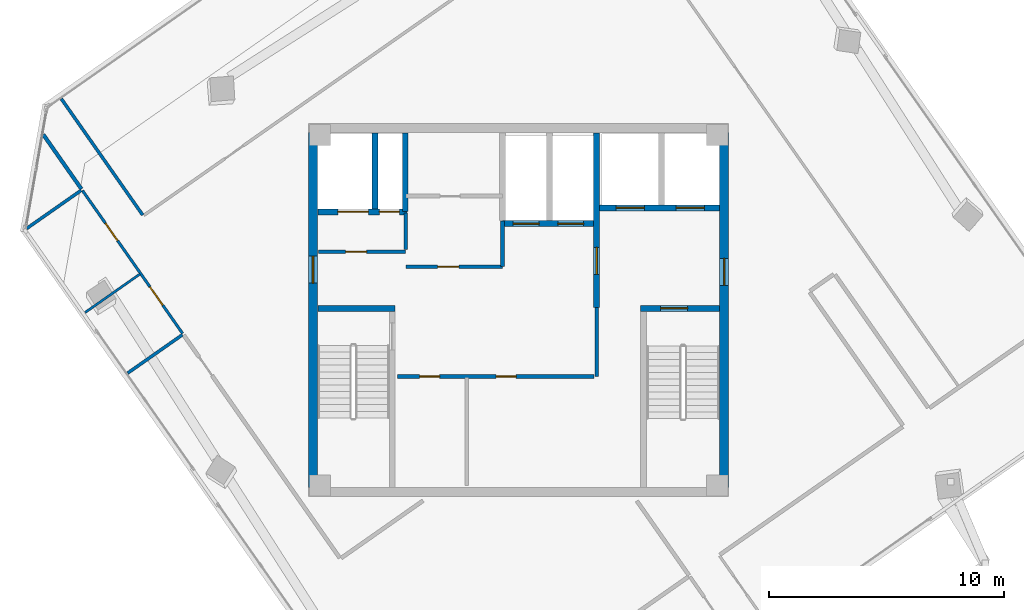
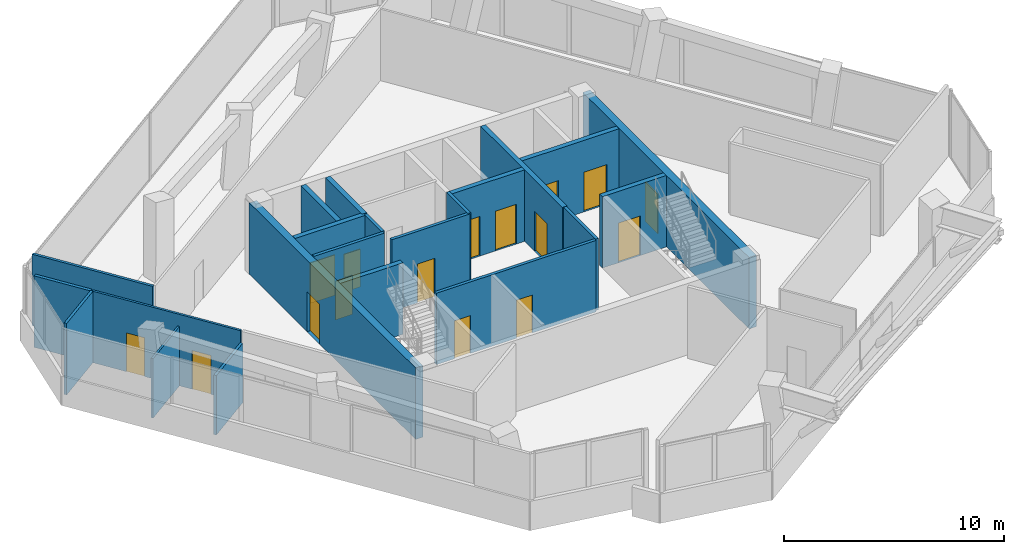
# One storey, part 11 of 15: 22 walls, 16 doors, 16 openings.
"""IFC4 building model written with IfcOpenShell, lengths in metres."""

import ifcopenshell
import ifcopenshell.guid

model = None  # the IFC model being written
_history = None  # IfcOwnerHistory: only IFC2X3 demands one
_inside = {}  # id of a spatial element -> (the spatial element, [elements in it])
_under = {}  # id of a project, library or spatial element -> (it, [spatial elements below it])
_declared = {}  # id of a project -> (the project, [libraries it declares])
_typed = {}  # id of a type object -> (the type object, [elements of that type])
_made_of = {}  # id of a material, layer set ... -> (it, [elements and type objects made of it])


def new_model(schema):
    """Start an empty IFC model of exactly this schema.

    Asked for "IFC4X3", IfcOpenShell would pick the latest addendum, in which some entities
    have other attributes; the version numbers below select the first issue.
    IFC2X3 requires an IfcOwnerHistory on every rooted entity: one is made here for all.
    """
    global model, _history
    if schema == "IFC4X3":
        model = ifcopenshell.file(schema_version=(4, 3, 0, 0))
    else:
        model = ifcopenshell.file(schema=schema)
    _inside.clear()
    _under.clear()
    _declared.clear()
    _typed.clear()
    _made_of.clear()
    _history = None
    if model.schema == "IFC2X3":
        org = make("IfcOrganization", Name="unknown")
        user = make(
            "IfcPersonAndOrganization",
            ThePerson=make("IfcPerson", FamilyName="unknown"),
            TheOrganization=org,
        )
        app = make(
            "IfcApplication",
            ApplicationDeveloper=org,
            Version="unknown",
            ApplicationFullName="unknown",
            ApplicationIdentifier="unknown",
        )
        _history = make(
            "IfcOwnerHistory",
            OwningUser=user,
            OwningApplication=app,
            ChangeAction="ADDED",
            CreationDate=0,
        )
    return model


def make(cls, **values):
    """One entity of the class cls with the attributes given. An attribute that is None is left unset."""
    return model.create_entity(
        cls, **{name: value for name, value in values.items() if value is not None}
    )


def rooted(cls, **values):
    """An entity with a GlobalId (a new one), such as an element, a storey or a relation."""
    return make(cls, GlobalId=ifcopenshell.guid.new(), OwnerHistory=_history, **values)


def si_unit(unit_type, name, prefix=None):
    """IfcSIUnit, for example si_unit("LENGTHUNIT", "METRE", prefix="MILLI")."""
    return make("IfcSIUnit", UnitType=unit_type, Prefix=prefix, Name=name)


def assignment(units):
    """IfcUnitAssignment: the units of a project."""
    return None if units is None else make("IfcUnitAssignment", Units=units)


def point(xyz):
    """IfcCartesianPoint."""
    return None if xyz is None else make("IfcCartesianPoint", Coordinates=xyz)


def direction(xyz):
    """IfcDirection."""
    return None if xyz is None else make("IfcDirection", DirectionRatios=xyz)


def frame(location, z_axis=None, x_axis=None):
    """IfcAxis2Placement3D, a coordinate frame: its origin and axes. An axis left out is left unset."""
    return make(
        "IfcAxis2Placement3D",
        Location=point(location),
        Axis=direction(z_axis),
        RefDirection=direction(x_axis),
    )


def frame_2d(location, x_axis=None):
    """IfcAxis2Placement2D, a coordinate frame in the plane: its origin and x axis."""
    return make(
        "IfcAxis2Placement2D", Location=point(location), RefDirection=direction(x_axis)
    )


def origin():
    """The frame at (0, 0, 0) with its axes left unset."""
    return frame((0.0, 0.0, 0.0))


def place(relative_to, where):
    """IfcLocalPlacement: puts the frame where relative to a parent placement (None: the world)."""
    return make(
        "IfcLocalPlacement", PlacementRelTo=relative_to, RelativePlacement=where
    )


def context(
    kind, dimensions, precision=None, world=None, true_north=None, identifier=None
):
    """IfcGeometricRepresentationContext, for example the 3D "Model" context."""
    return make(
        "IfcGeometricRepresentationContext",
        ContextIdentifier=identifier,
        ContextType=kind,
        CoordinateSpaceDimension=dimensions,
        Precision=precision,
        WorldCoordinateSystem=world,
        TrueNorth=true_north,
    )


def subcontext(parent, identifier, kind, view, scale=None):
    """IfcGeometricRepresentationSubContext, for example "Body" below "Model"."""
    return make(
        "IfcGeometricRepresentationSubContext",
        ContextIdentifier=identifier,
        ContextType=kind,
        ParentContext=parent,
        TargetScale=scale,
        TargetView=view,
    )


def project(units=None, contexts=None):
    """IfcProject with its units and contexts."""
    return rooted(
        "IfcProject",
        Name="project",
        RepresentationContexts=contexts,
        UnitsInContext=assignment(units),
    )


def spatial(cls, under=None, at=None, **own):
    """A site, building, storey or space (cls), placed at a placement, below another one or the project."""
    s = rooted(cls, ObjectPlacement=at, **own)
    if under is not None:
        _under.setdefault(under.id(), (under, []))[1].append(s)
    return s


def profile(cls, at=None, kind="AREA", **sizes):
    """A parametric profile (cls). Its sizes go by their IFC names, for example OverallWidth=200.0."""
    return make(cls, ProfileType=kind, Position=at, **sizes)


def rectangle(**sizes):
    """IfcRectangleProfileDef."""
    return profile("IfcRectangleProfileDef", **sizes)


def extrude(swept, where, along, depth):
    """IfcExtrudedAreaSolid: the profile swept, set in the frame where, extruded along a direction by depth."""
    return make(
        "IfcExtrudedAreaSolid",
        SweptArea=swept,
        Position=where,
        ExtrudedDirection=direction(along),
        Depth=depth,
    )


def shape(context_of_items, identifier, shape_type, items):
    """IfcShapeRepresentation: the items that make up one representation, for example the "Body"."""
    return make(
        "IfcShapeRepresentation",
        ContextOfItems=context_of_items,
        RepresentationIdentifier=identifier,
        RepresentationType=shape_type,
        Items=items,
    )


def source(mapping_origin, context_of_items, identifier, shape_type, items):
    """IfcRepresentationMap: a shape defined once, which mapped items show again and again."""
    return make(
        "IfcRepresentationMap",
        MappingOrigin=mapping_origin,
        MappedRepresentation=shape(context_of_items, identifier, shape_type, items),
    )


def transform(
    local_origin,
    x_axis=None,
    y_axis=None,
    z_axis=None,
    scale=None,
    scale2=None,
    scale3=None,
    uniform=True,
):
    """IfcCartesianTransformationOperator3D, or its non-uniform kind. x_axis, y_axis, z_axis: its Axis1, 2, 3."""
    if uniform:
        return make(
            "IfcCartesianTransformationOperator3D",
            Axis1=direction(x_axis),
            Axis2=direction(y_axis),
            LocalOrigin=point(local_origin),
            Scale=scale,
            Axis3=direction(z_axis),
        )
    return make(
        "IfcCartesianTransformationOperator3DnonUniform",
        Axis1=direction(x_axis),
        Axis2=direction(y_axis),
        LocalOrigin=point(local_origin),
        Scale=scale,
        Axis3=direction(z_axis),
        Scale2=scale2,
        Scale3=scale3,
    )


def mapped(mapping_source, mapping_target):
    """IfcMappedItem: shows the shape of a source again, moved by a transform."""
    return make(
        "IfcMappedItem", MappingSource=mapping_source, MappingTarget=mapping_target
    )


def material(Name=None, Category=None):
    """IfcMaterial."""
    return make("IfcMaterial", Name=Name, Category=Category)


def layer(
    of_material, thickness, ventilated=None, Name=None, Category=None, Priority=None
):
    """IfcMaterialLayer: one layer of a wall or slab, of a material (None: an air gap)."""
    return make(
        "IfcMaterialLayer",
        Material=of_material,
        LayerThickness=thickness,
        IsVentilated=ventilated,
        Name=Name,
        Category=Category,
        Priority=Priority,
    )


def layer_set(layers, Name=None):
    """IfcMaterialLayerSet."""
    return make("IfcMaterialLayerSet", MaterialLayers=layers, LayerSetName=Name)


def made_of(thing, what):
    """Note that an element or type object is made of a material, layer set ...; save() writes the relation."""
    if what is not None:
        _made_of.setdefault(what.id(), (what, []))[1].append(thing)
    return thing


def type_object(cls, material=None, **own):
    """A type object (cls), such as IfcWallType, which elements share."""
    return made_of(rooted(cls, **own), material)


def element(
    cls,
    number,
    at=None,
    inside=None,
    cuts=None,
    type_object=None,
    material=None,
    context=None,
    identifier="Body",
    shape_type=None,
    held_by="IfcProductDefinitionShape",
    body=None,
    shapes=None,
    **own,
):
    """One element of the class cls, such as IfcWall. Its Tag is "e" and its number.

    at: its placement. inside: the storey or other place that contains it. cuts: it is an
    opening in that element (IfcRelVoidsElement). A single representation is given by context,
    identifier, shape_type and body (its items); several are given by shapes. held_by: the class
    of the entity that holds the representations. save() writes the other relations.
    """
    e = rooted(cls, Tag="e%d" % number, ObjectPlacement=at, **own)
    if body is not None:
        shapes = [shape(context, identifier, shape_type, body)]
    if shapes is not None:
        e.Representation = make(held_by, Representations=shapes)
    if inside is not None:
        _inside.setdefault(inside.id(), (inside, []))[1].append(e)
    if cuts is not None:
        rooted(
            "IfcRelVoidsElement", RelatingBuildingElement=cuts, RelatedOpeningElement=e
        )
    if type_object is not None:
        _typed.setdefault(type_object.id(), (type_object, []))[1].append(e)
    return made_of(e, material)


def fill(opening, filler):
    """IfcRelFillsElement: the door or window that sits in an opening."""
    return rooted(
        "IfcRelFillsElement",
        RelatingOpeningElement=opening,
        RelatedBuildingElement=filler,
    )


def aggregate(whole, parts):
    """IfcRelAggregates: a whole, such as a stair, and the parts it consists of."""
    return rooted("IfcRelAggregates", RelatingObject=whole, RelatedObjects=parts)


def save(model, path):
    """Write the relations noted so far, then the file.

    IfcRelAggregates (storeys below a building ...), IfcRelContainedInSpatialStructure (elements
    in a storey), IfcRelDefinesByType, IfcRelAssociatesMaterial and IfcRelDeclares: one each for
    every whole, place, type object, material and project.
    """
    for whole, parts in _under.values():
        aggregate(whole, parts)
    for where, things in _inside.values():
        rooted(
            "IfcRelContainedInSpatialStructure",
            RelatedElements=things,
            RelatingStructure=where,
        )
    for kind, things in _typed.values():
        rooted("IfcRelDefinesByType", RelatedObjects=things, RelatingType=kind)
    for what, things in _made_of.values():
        rooted("IfcRelAssociatesMaterial", RelatedObjects=things, RelatingMaterial=what)
    for by, libraries in _declared.values():
        rooted("IfcRelDeclares", RelatingContext=by, RelatedDefinitions=libraries)
    model.write(path)


model = new_model("IFC4")

# Units and contexts
model_context = context("Model", 3, precision=1e-05, world=origin(), true_north=direction((0.0, 1.0)))
body_context = subcontext(model_context, "Body", "Model", "MODEL_VIEW")
ifc_project = project(units=[si_unit("LENGTHUNIT", "METRE"), si_unit("AREAUNIT", "SQUARE_METRE"), si_unit("VOLUMEUNIT", "CUBIC_METRE"), si_unit("PLANEANGLEUNIT", "RADIAN"), si_unit("MASSUNIT", "GRAM", prefix="KILO")], contexts=[model_context])

# Site, building, storey
site_placement = place(None, origin())
site = spatial("IfcSite", under=ifc_project, at=site_placement, CompositionType="ELEMENT")
building_placement = place(site_placement, origin())
building = spatial("IfcBuilding", under=site, at=building_placement, Name="Torre Montelarca", CompositionType="ELEMENT")
storey_placement = place(building_placement, frame((0.0, 0.0, 303.0)))
storey = spatial("IfcBuildingStorey", under=building, at=storey_placement, Name="L68", CompositionType="ELEMENT", Elevation=303.0)

# Wall
ifc_material_1 = material(Name="Concrete C40/50", Category="concrete")
ifc_layer_1 = layer(ifc_material_1, 0.25, Name="Concrete C40/50", Category="concrete")
ifc_layer_set_1 = layer_set([ifc_layer_1], Name="Concrete C40/50")
wall_type_1 = type_object("IfcWallType", Name="CW-SHAFT-250", PredefinedType="SHEAR", material=ifc_layer_set_1)
wall_1_placement = place(storey_placement, frame((9.4599609375, 32.074951171875, 0.0), z_axis=(0.0, 0.0, 1.0), x_axis=(1.0, 0.0, 0.0)))
element("IfcWall", 1, at=wall_1_placement, inside=storey, type_object=wall_type_1, Name="L68 Core Shear Wall SH-ST1-N", PredefinedType="SHEAR", context=body_context, shape_type="SweptSolid", body=[
    extrude(rectangle(XDim=3.2900390625, YDim=0.25, at=frame_2d((1.64501953125, 0.0))), origin(), (0.0, 0.0, 1.0), 3.9599609375),
])

# Wall, opening, door
wall_2_placement = place(storey_placement, frame((23.18994140625, 32.074951171875, 0.0), z_axis=(0.0, 0.0, 1.0), x_axis=(1.0, 0.0, 0.0)))
wall_2 = element("IfcWall", 2, at=wall_2_placement, inside=storey, type_object=wall_type_1, Name="L68 Core Shear Wall SH-ST2-N", PredefinedType="SHEAR", context=body_context, shape_type="SweptSolid", body=[
    extrude(rectangle(XDim=3.35009765625, YDim=0.25, at=frame_2d((1.675048828125, 0.0))), origin(), (0.0, 0.0, 1.0), 3.9599609375),
])
opening_1_placement = place(wall_2_placement, frame((0.85009765625, 0.0, 0.0)))
opening_1 = element("IfcOpeningElement", 3, at=opening_1_placement, cuts=wall_2, Name="Opening FD-ST1", PredefinedType="OPENING", context=body_context, shape_type="SweptSolid", body=[
    extrude(rectangle(XDim=1.14990234375, YDim=2.199951171875, at=frame_2d((0.574951171875, 1.10009765625))), frame((0.0, 0.135009765625, 0.0), z_axis=(0.0, -1.0, 0.0), x_axis=(1.0, 0.0, 0.0)), (0.0, 0.0, 1.0), 0.27001953125),
])
ifc_material_2 = material(Name="Galvanized steel fire door", Category="steel")
door_type_1 = type_object("IfcDoorType", Name="DR-STAIR-115", OperationType="NOTDEFINED", PredefinedType="DOOR", material=ifc_material_2)
shared_shape_1 = source(origin(), body_context, "Body", "SweptSolid", [
    extrude(rectangle(XDim=1.14990234375, YDim=2.199951171875, at=frame_2d((0.574951171875, 1.10009765625))), frame((0.0, 0.02490234375, 0.0), z_axis=(0.0, -1.0, 0.0), x_axis=(1.0, 0.0, 0.0)), (0.0, 0.0, 1.0), 0.050048828125),
])
door_1_placement = place(opening_1_placement, origin())
door_1 = element("IfcDoor", 4, at=door_1_placement, inside=storey, type_object=door_type_1, Name="L68 Exit Stair ST2 Fire Door", OperationType="SINGLE_SWING_RIGHT", OverallHeight=2.199951171875, OverallWidth=1.14990234375, PredefinedType="DOOR", context=body_context, shape_type="MappedRepresentation", body=[
    mapped(shared_shape_1, transform((0.0, 0.0, 0.0), scale=1.0)),
])
fill(opening_1, door_1)

wall_3_placement = place(storey_placement, frame((21.320068359375, 32.1201171875, 0.0), z_axis=(0.0, 0.0, 1.0), x_axis=(0.0, 1.0, 0.0)))
wall_3 = element("IfcWall", 5, at=wall_3_placement, inside=storey, type_object=wall_type_1, Name="L68 Core Shear Wall SH-FFL-W", PredefinedType="SHEAR", context=body_context, shape_type="SweptSolid", body=[
    extrude(rectangle(XDim=7.419921875, YDim=0.25, at=frame_2d((3.7099609375, 0.0))), origin(), (0.0, 0.0, 1.0), 3.9599609375),
])
opening_2_placement = place(wall_3_placement, frame((1.39990234375, 0.0, 0.0)))
opening_2 = element("IfcOpeningElement", 6, at=opening_2_placement, cuts=wall_3, Name="Opening FD-LB1", PredefinedType="OPENING", context=body_context, shape_type="SweptSolid", body=[
    extrude(rectangle(XDim=1.14990234375, YDim=2.199951171875, at=frame_2d((0.574951171875, 1.10009765625))), frame((0.0, 0.135009765625, 0.0), z_axis=(0.0, -1.0, 0.0), x_axis=(1.0, 0.0, 0.0)), (0.0, 0.0, 1.0), 0.27001953125),
])
ifc_material_3 = material(Name="Acoustic timber-veneered fire door", Category="wood")
door_type_2 = type_object("IfcDoorType", Name="DR-LOBBY-115", OperationType="NOTDEFINED", PredefinedType="DOOR", material=ifc_material_3)
shared_shape_2 = source(origin(), body_context, "Body", "SweptSolid", [
    extrude(rectangle(XDim=1.14990234375, YDim=2.199951171875, at=frame_2d((0.574951171875, 1.10009765625))), frame((0.0, 0.02490234375, 0.0), z_axis=(0.0, -1.0, 0.0), x_axis=(1.0, 0.0, 0.0)), (0.0, 0.0, 1.0), 0.050048828125),
])
door_2_placement = place(opening_2_placement, origin())
door_2 = element("IfcDoor", 7, at=door_2_placement, inside=storey, type_object=door_type_2, Name="L68 Lift Lobby to Firefighting Lobby Smoke Door", OperationType="SINGLE_SWING_LEFT", OverallHeight=2.199951171875, OverallWidth=1.14990234375, PredefinedType="DOOR", context=body_context, shape_type="MappedRepresentation", body=[
    mapped(shared_shape_2, transform((0.0, 0.0, 0.0), scale=1.0)),
])
fill(opening_2, door_2)

# Wall, openings, doors
wall_4_placement = place(storey_placement, frame((9.4599609375, 36.179931640625, 0.0), z_axis=(0.0, 0.0, 1.0), x_axis=(1.0, 0.0, 0.0)))
wall_4 = element("IfcWall", 8, at=wall_4_placement, inside=storey, type_object=wall_type_1, Name="L68 Core Shear Wall SH-SV1-S", PredefinedType="SHEAR", context=body_context, shape_type="SweptSolid", body=[
    extrude(rectangle(XDim=3.7900390625, YDim=0.25, at=frame_2d((1.89501953125, 0.0))), origin(), (0.0, 0.0, 1.0), 3.9599609375),
])
opening_3_placement = place(wall_4_placement, frame((2.6201171875, 0.0, 0.0)))
opening_3 = element("IfcOpeningElement", 9, at=opening_3_placement, cuts=wall_4, Name="Opening FD-085", PredefinedType="OPENING", context=body_context, shape_type="SweptSolid", body=[
    extrude(rectangle(XDim=0.85009765625, YDim=2.10009765625, at=frame_2d((0.425048828125, 1.050048828125))), frame((0.0, 0.135009765625, 0.0), z_axis=(0.0, -1.0, 0.0), x_axis=(1.0, 0.0, 0.0)), (0.0, 0.0, 1.0), 0.27001953125),
])
opening_4_placement = place(wall_4_placement, frame((0.85009765625, 0.0, 0.0)))
opening_4 = element("IfcOpeningElement", 10, at=opening_4_placement, cuts=wall_4, Name="Opening LD-130", PredefinedType="OPENING", context=body_context, shape_type="SweptSolid", body=[
    extrude(rectangle(XDim=1.300048828125, YDim=2.25, at=frame_2d((0.64990234375, 1.125))), frame((0.0, 0.135009765625, 0.0), z_axis=(0.0, -1.0, 0.0), x_axis=(1.0, 0.0, 0.0)), (0.0, 0.0, 1.0), 0.27001953125),
])
ifc_material_4 = material(Name="Steel riser access fire door", Category="steel")
door_type_3 = type_object("IfcDoorType", Name="DR-RISER-085", OperationType="NOTDEFINED", PredefinedType="DOOR", material=ifc_material_4)
shared_shape_3 = source(origin(), body_context, "Body", "SweptSolid", [
    extrude(rectangle(XDim=0.85009765625, YDim=2.10009765625, at=frame_2d((0.425048828125, 1.050048828125))), frame((0.0, 0.02490234375, 0.0), z_axis=(0.0, -1.0, 0.0), x_axis=(1.0, 0.0, 0.0)), (0.0, 0.0, 1.0), 0.050048828125),
])
door_3_placement = place(opening_3_placement, origin())
door_3 = element("IfcDoor", 11, at=door_3_placement, inside=storey, type_object=door_type_3, Name="L68 Electrical Riser Shaft Access Door", OperationType="SINGLE_SWING_RIGHT", OverallHeight=2.10009765625, OverallWidth=0.85009765625, PredefinedType="DOOR", context=body_context, shape_type="MappedRepresentation", body=[
    mapped(shared_shape_3, transform((0.0, 0.0, 0.0), scale=1.0)),
])
fill(opening_3, door_3)
ifc_material_5 = material(Name="Brushed stainless steel AISI 316", Category="steel")
door_type_4 = type_object("IfcDoorType", Name="DR-LIFT-130", OperationType="SLIDING_TO_LEFT", PredefinedType="DOOR", material=ifc_material_5)
shared_shape_4 = source(origin(), body_context, "Body", "SweptSolid", [
    extrude(rectangle(XDim=1.300048828125, YDim=2.25, at=frame_2d((0.64990234375, 1.125))), frame((0.0, 0.02490234375, 0.0), z_axis=(0.0, -1.0, 0.0), x_axis=(1.0, 0.0, 0.0)), (0.0, 0.0, 1.0), 0.050048828125),
])
door_4_placement = place(opening_4_placement, origin())
door_4 = element("IfcDoor", 12, at=door_4_placement, inside=storey, type_object=door_type_4, Name="L68 Lift Landing Sliding Door SV-1", OperationType="SLIDING_TO_LEFT", OverallHeight=2.25, OverallWidth=1.300048828125, PredefinedType="DOOR", context=body_context, shape_type="MappedRepresentation", body=[
    mapped(shared_shape_4, transform((0.0, 0.0, 0.0), scale=1.0)),
])
fill(opening_4, door_4)

# Wall
wall_5_placement = place(storey_placement, frame((11.89990234375, 36.31005859375, 0.0), z_axis=(0.0, 0.0, 1.0), x_axis=(0.0, 1.0, 0.0)))
element("IfcWall", 13, at=wall_5_placement, inside=storey, type_object=wall_type_1, Name="L68 Core Shear Wall SH-SV1-E", PredefinedType="SHEAR", context=body_context, shape_type="SweptSolid", body=[
    extrude(rectangle(XDim=3.22998046875, YDim=0.25, at=frame_2d((1.614990234375, 0.0))), origin(), (0.0, 0.0, 1.0), 3.9599609375),
])

# Wall, openings, doors
wall_6_placement = place(storey_placement, frame((21.449951171875, 36.35009765625, 0.0), z_axis=(0.0, 0.0, 1.0), x_axis=(1.0, 0.0, 0.0)))
wall_6 = element("IfcWall", 14, at=wall_6_placement, inside=storey, type_object=wall_type_1, Name="L68 Core Shear Wall SH-FF-S", PredefinedType="SHEAR", context=body_context, shape_type="SweptSolid", body=[
    extrude(rectangle(XDim=5.090087890625, YDim=0.25, at=frame_2d((2.544921875, 0.0))), origin(), (0.0, 0.0, 1.0), 3.9599609375),
])
opening_5_placement = place(wall_6_placement, frame((0.699951171875, 0.0, 0.0)))
opening_5 = element("IfcOpeningElement", 15, at=opening_5_placement, cuts=wall_6, Name="Opening LD-120", PredefinedType="OPENING", context=body_context, shape_type="SweptSolid", body=[
    extrude(rectangle(XDim=1.199951171875, YDim=2.199951171875, at=frame_2d((0.60009765625, 1.10009765625))), frame((0.0, 0.135009765625, 0.0), z_axis=(0.0, -1.0, 0.0), x_axis=(1.0, 0.0, 0.0)), (0.0, 0.0, 1.0), 0.27001953125),
])
opening_6_placement = place(wall_6_placement, frame((3.25, 0.0, 0.0)))
opening_6 = element("IfcOpeningElement", 16, at=opening_6_placement, cuts=wall_6, Name="Opening LD-120", PredefinedType="OPENING", context=body_context, shape_type="SweptSolid", body=[
    extrude(rectangle(XDim=1.199951171875, YDim=2.199951171875, at=frame_2d((0.60009765625, 1.10009765625))), frame((0.0, 0.135009765625, 0.0), z_axis=(0.0, -1.0, 0.0), x_axis=(1.0, 0.0, 0.0)), (0.0, 0.0, 1.0), 0.27001953125),
])
door_type_5 = type_object("IfcDoorType", Name="DR-LIFT-120", OperationType="SLIDING_TO_RIGHT", PredefinedType="DOOR", material=ifc_material_5)
shared_shape_5 = source(origin(), body_context, "Body", "SweptSolid", [
    extrude(rectangle(XDim=1.199951171875, YDim=2.199951171875, at=frame_2d((0.60009765625, 1.10009765625))), frame((0.0, 0.02490234375, 0.0), z_axis=(0.0, -1.0, 0.0), x_axis=(1.0, 0.0, 0.0)), (0.0, 0.0, 1.0), 0.050048828125),
])
door_5_placement = place(opening_5_placement, origin())
door_5 = element("IfcDoor", 17, at=door_5_placement, inside=storey, type_object=door_type_5, Name="L68 Lift Landing Sliding Door FF-1", OperationType="SLIDING_TO_LEFT", OverallHeight=2.199951171875, OverallWidth=1.199951171875, PredefinedType="DOOR", context=body_context, shape_type="MappedRepresentation", body=[
    mapped(shared_shape_5, transform((0.0, 0.0, 0.0), scale=1.0)),
])
fill(opening_5, door_5)
door_6_placement = place(opening_6_placement, origin())
door_6 = element("IfcDoor", 18, at=door_6_placement, inside=storey, type_object=door_type_5, Name="L68 Lift Landing Sliding Door FF-2", OperationType="SLIDING_TO_RIGHT", OverallHeight=2.199951171875, OverallWidth=1.199951171875, PredefinedType="DOOR", context=body_context, shape_type="MappedRepresentation", body=[
    mapped(shared_shape_5, transform((0.0, 0.0, 0.0), scale=1.0)),
])
fill(opening_6, door_6)

# Wall
wall_7_placement = place(storey_placement, frame((13.179931640625, 36.199951171875, 0.0), z_axis=(0.0, 0.0, 1.0), x_axis=(0.0, 1.0, 0.0)))
element("IfcWall", 19, at=wall_7_placement, inside=storey, type_object=wall_type_1, Name="L68 Core Shear Wall SH-RSR1-E", PredefinedType="SHEAR", context=body_context, shape_type="SweptSolid", body=[
    extrude(rectangle(XDim=3.340087890625, YDim=0.25, at=frame_2d((1.669921875, 0.0))), origin(), (0.0, 0.0, 1.0), 3.9599609375),
])

# Wall, openings, doors
wall_8_placement = place(storey_placement, frame((17.320068359375, 35.679931640625, 0.0), z_axis=(0.0, 0.0, 1.0), x_axis=(1.0, 0.0, 0.0)))
wall_8 = element("IfcWall", 20, at=wall_8_placement, inside=storey, type_object=wall_type_1, Name="L68 Core Shear Wall SH-PLH-S", PredefinedType="SHEAR", context=body_context, shape_type="SweptSolid", body=[
    extrude(rectangle(XDim=3.869873046875, YDim=0.25, at=frame_2d((1.93505859375, 0.0))), origin(), (0.0, 0.0, 1.0), 3.9599609375),
])
opening_7_placement = place(wall_8_placement, frame((0.449951171875, 0.0, 0.0)))
opening_7 = element("IfcOpeningElement", 21, at=opening_7_placement, cuts=wall_8, Name="Opening LD-110", PredefinedType="OPENING", context=body_context, shape_type="SweptSolid", body=[
    extrude(rectangle(XDim=1.10009765625, YDim=2.199951171875, at=frame_2d((0.550048828125, 1.10009765625))), frame((0.0, 0.135009765625, 0.0), z_axis=(0.0, -1.0, 0.0), x_axis=(1.0, 0.0, 0.0)), (0.0, 0.0, 1.0), 0.27001953125),
])
opening_8_placement = place(wall_8_placement, frame((2.35009765625, 0.0, 0.0)))
opening_8 = element("IfcOpeningElement", 22, at=opening_8_placement, cuts=wall_8, Name="Opening LD-110", PredefinedType="OPENING", context=body_context, shape_type="SweptSolid", body=[
    extrude(rectangle(XDim=1.10009765625, YDim=2.199951171875, at=frame_2d((0.550048828125, 1.10009765625))), frame((0.0, 0.135009765625, 0.0), z_axis=(0.0, -1.0, 0.0), x_axis=(1.0, 0.0, 0.0)), (0.0, 0.0, 1.0), 0.27001953125),
])
door_type_6 = type_object("IfcDoorType", Name="DR-LIFT-110", OperationType="SLIDING_TO_LEFT", PredefinedType="DOOR", material=ifc_material_5)
shared_shape_6 = source(origin(), body_context, "Body", "SweptSolid", [
    extrude(rectangle(XDim=1.10009765625, YDim=2.199951171875, at=frame_2d((0.550048828125, 1.10009765625))), frame((0.0, 0.02490234375, 0.0), z_axis=(0.0, -1.0, 0.0), x_axis=(1.0, 0.0, 0.0)), (0.0, 0.0, 1.0), 0.050048828125),
])
door_7_placement = place(opening_7_placement, origin())
door_7 = element("IfcDoor", 23, at=door_7_placement, inside=storey, type_object=door_type_6, Name="L68 Lift Landing Sliding Door PL-H1", OperationType="SLIDING_TO_LEFT", OverallHeight=2.199951171875, OverallWidth=1.10009765625, PredefinedType="DOOR", context=body_context, shape_type="MappedRepresentation", body=[
    mapped(shared_shape_6, transform((0.0, 0.0, 0.0), scale=1.0)),
])
fill(opening_7, door_7)
door_8_placement = place(opening_8_placement, origin())
door_8 = element("IfcDoor", 24, at=door_8_placement, inside=storey, type_object=door_type_6, Name="L68 Lift Landing Sliding Door PL-H2", OperationType="SLIDING_TO_RIGHT", OverallHeight=2.199951171875, OverallWidth=1.10009765625, PredefinedType="DOOR", context=body_context, shape_type="MappedRepresentation", body=[
    mapped(shared_shape_6, transform((0.0, 0.0, 0.0), scale=1.0)),
])
fill(opening_8, door_8)

# Wall, opening, door
ifc_layer_2 = layer(ifc_material_1, 0.3798828125, Name="Concrete C40/50", Category="concrete")
ifc_layer_set_2 = layer_set([ifc_layer_2], Name="Concrete C40/50")
wall_type_2 = type_object("IfcWallType", Name="CW-SHEAR-380", PredefinedType="SHEAR", material=ifc_layer_set_2)
wall_9_placement = place(storey_placement, frame((9.260009765625, 24.449951171875, 0.0), z_axis=(0.0, 0.0, 1.0), x_axis=(0.0, 1.0, 0.0)))
wall_9 = element("IfcWall", 25, at=wall_9_placement, inside=storey, type_object=wall_type_2, Name="L68 Core Shear Wall CW-W", PredefinedType="SHEAR", context=body_context, shape_type="SweptSolid", body=[
    extrude(rectangle(XDim=15.10009765625, YDim=0.3798828125, at=frame_2d((7.550048828125, 0.0))), origin(), (0.0, 0.0, 1.0), 3.9599609375),
])
opening_9_placement = place(wall_9_placement, frame((8.699951171875, 0.0, 0.0)))
opening_9 = element("IfcOpeningElement", 26, at=opening_9_placement, cuts=wall_9, Name="Opening FD-LB1", PredefinedType="OPENING", context=body_context, shape_type="SweptSolid", body=[
    extrude(rectangle(XDim=1.14990234375, YDim=2.199951171875, at=frame_2d((0.574951171875, 1.10009765625))), frame((0.0, 0.199951171875, 0.0), z_axis=(0.0, -1.0, 0.0), x_axis=(1.0, 0.0, 0.0)), (0.0, 0.0, 1.0), 0.39990234375),
])
door_9_placement = place(opening_9_placement, origin())
door_9 = element("IfcDoor", 27, at=door_9_placement, inside=storey, type_object=door_type_2, Name="L68 Passenger Lift Lobby West Corridor Fire Door", OperationType="SINGLE_SWING_RIGHT", OverallHeight=2.199951171875, OverallWidth=1.14990234375, PredefinedType="DOOR", context=body_context, shape_type="MappedRepresentation", body=[
    mapped(shared_shape_2, transform((0.0, 0.0, 0.0), scale=1.0)),
])
fill(opening_9, door_9)

wall_10_placement = place(storey_placement, frame((26.739990234375, 24.449951171875, 0.0), z_axis=(0.0, 0.0, 1.0), x_axis=(0.0, 1.0, 0.0)))
wall_10 = element("IfcWall", 28, at=wall_10_placement, inside=storey, type_object=wall_type_2, Name="L68 Core Shear Wall CW-E", PredefinedType="SHEAR", context=body_context, shape_type="SweptSolid", body=[
    extrude(rectangle(XDim=15.10009765625, YDim=0.3798828125, at=frame_2d((7.550048828125, 0.0))), origin(), (0.0, 0.0, 1.0), 3.9599609375),
])
opening_10_placement = place(wall_10_placement, frame((8.60009765625, 0.0, 0.0)))
opening_10 = element("IfcOpeningElement", 29, at=opening_10_placement, cuts=wall_10, Name="Opening FD-LB1", PredefinedType="OPENING", context=body_context, shape_type="SweptSolid", body=[
    extrude(rectangle(XDim=1.14990234375, YDim=2.199951171875, at=frame_2d((0.574951171875, 1.10009765625))), frame((0.0, 0.199951171875, 0.0), z_axis=(0.0, -1.0, 0.0), x_axis=(1.0, 0.0, 0.0)), (0.0, 0.0, 1.0), 0.39990234375),
])
door_10_placement = place(opening_10_placement, origin())
door_10 = element("IfcDoor", 30, at=door_10_placement, inside=storey, type_object=door_type_2, Name="L68 Firefighting Lift Lobby Corridor Fire Door", OperationType="SINGLE_SWING_RIGHT", OverallHeight=2.199951171875, OverallWidth=1.14990234375, PredefinedType="DOOR", context=body_context, shape_type="MappedRepresentation", body=[
    mapped(shared_shape_2, transform((0.0, 0.0, 0.0), scale=1.0)),
])
fill(opening_10, door_10)

ifc_material_6 = material(Name="Gypsum plasterboard on steel stud", Category="steel")
ifc_layer_3 = layer(ifc_material_6, 0.159912109375, Name="Gypsum plasterboard on steel stud", Category="steel")
ifc_layer_set_3 = layer_set([ifc_layer_3], Name="Gypsum plasterboard on steel stud")
wall_type_3 = type_object("IfcWallType", Name="PW-FIRE-160", PredefinedType="PARTITIONING", material=ifc_layer_set_3)
wall_11_placement = place(storey_placement, frame((9.489990234375, 34.47998046875, 0.0), z_axis=(0.0, 0.0, 1.0), x_axis=(1.0, 0.0, 0.0)))
wall_11 = element("IfcWall", 31, at=wall_11_placement, inside=storey, type_object=wall_type_3, Name="L68 Interior Partition CW-L68-SVS", PredefinedType="PARTITIONING", context=body_context, shape_type="SweptSolid", body=[
    extrude(rectangle(XDim=3.699951171875, YDim=0.159912109375, at=frame_2d((1.85009765625, 0.0))), origin(), (0.0, 0.0, 1.0), 3.9599609375),
])
opening_11_placement = place(wall_11_placement, frame((1.14990234375, 0.0, 0.0)))
opening_11 = element("IfcOpeningElement", 32, at=opening_11_placement, cuts=wall_11, Name="Opening FD-090", PredefinedType="OPENING", context=body_context, shape_type="SweptSolid", body=[
    extrude(rectangle(XDim=0.89990234375, YDim=2.14990234375, at=frame_2d((0.449951171875, 1.074951171875))), frame((0.0, 0.08984375, 0.0), z_axis=(0.0, -1.0, 0.0), x_axis=(1.0, 0.0, 0.0)), (0.0, 0.0, 1.0), 0.179931640625),
])
ifc_material_7 = material(Name="Steel service fire door", Category="steel")
door_type_7 = type_object("IfcDoorType", Name="DR-FIRE-090", OperationType="NOTDEFINED", PredefinedType="DOOR", material=ifc_material_7)
shared_shape_7 = source(origin(), body_context, "Body", "SweptSolid", [
    extrude(rectangle(XDim=0.89990234375, YDim=2.14990234375, at=frame_2d((0.449951171875, 1.074951171875))), frame((0.0, 0.02490234375, 0.0), z_axis=(0.0, -1.0, 0.0), x_axis=(1.0, 0.0, 0.0)), (0.0, 0.0, 1.0), 0.050048828125),
])
door_11_placement = place(opening_11_placement, origin())
door_11 = element("IfcDoor", 33, at=door_11_placement, inside=storey, type_object=door_type_7, Name="L68 Interior Door 01", OperationType="SINGLE_SWING_RIGHT", OverallHeight=2.14990234375, OverallWidth=0.89990234375, PredefinedType="DOOR", context=body_context, shape_type="MappedRepresentation", body=[
    mapped(shared_shape_7, transform((0.0, 0.0, 0.0), scale=1.0)),
])
fill(opening_11, door_11)

# Wall
wall_12_placement = place(storey_placement, frame((13.199951171875, 34.570068359375, 0.0), z_axis=(0.0, 0.0, 1.0), x_axis=(0.0, 1.0, 0.0)))
element("IfcWall", 34, at=wall_12_placement, inside=storey, type_object=wall_type_3, Name="L68 Interior Partition CW-L68-SVE", PredefinedType="PARTITIONING", context=body_context, shape_type="SweptSolid", body=[
    extrude(rectangle(XDim=1.56982421875, YDim=0.159912109375, at=frame_2d((0.784912109375, 0.0))), origin(), (0.0, 0.0, 1.0), 3.9599609375),
])

# Wall, opening, door
wall_13_placement = place(storey_placement, frame((13.2099609375, 33.85009765625, 0.0), z_axis=(0.0, 0.0, 1.0), x_axis=(1.0, 0.0, 0.0)))
wall_13 = element("IfcWall", 35, at=wall_13_placement, inside=storey, type_object=wall_type_3, Name="L68 Interior Partition CW-L68-FRMS", PredefinedType="PARTITIONING", context=body_context, shape_type="SweptSolid", body=[
    extrude(rectangle(XDim=4.10009765625, YDim=0.159912109375, at=frame_2d((2.050048828125, 0.0))), origin(), (0.0, 0.0, 1.0), 3.9599609375),
])
opening_12_placement = place(wall_13_placement, frame((1.35009765625, 0.0, 0.0)))
opening_12 = element("IfcOpeningElement", 36, at=opening_12_placement, cuts=wall_13, Name="Opening FD-090", PredefinedType="OPENING", context=body_context, shape_type="SweptSolid", body=[
    extrude(rectangle(XDim=0.89990234375, YDim=2.14990234375, at=frame_2d((0.449951171875, 1.074951171875))), frame((0.0, 0.08984375, 0.0), z_axis=(0.0, -1.0, 0.0), x_axis=(1.0, 0.0, 0.0)), (0.0, 0.0, 1.0), 0.179931640625),
])
door_12_placement = place(opening_12_placement, origin())
door_12 = element("IfcDoor", 37, at=door_12_placement, inside=storey, type_object=door_type_7, Name="L68 Interior Door 02", OperationType="SINGLE_SWING_LEFT", OverallHeight=2.14990234375, OverallWidth=0.89990234375, PredefinedType="DOOR", context=body_context, shape_type="MappedRepresentation", body=[
    mapped(shared_shape_7, transform((0.0, 0.0, 0.0), scale=1.0)),
])
fill(opening_12, door_12)

# Wall
wall_14_placement = place(storey_placement, frame((17.320068359375, 33.860107421875, 0.0), z_axis=(0.0, 0.0, 1.0), x_axis=(0.0, 1.0, 0.0)))
element("IfcWall", 38, at=wall_14_placement, inside=storey, type_object=wall_type_3, Name="L68 Interior Partition CW-L68-FRME", PredefinedType="PARTITIONING", context=body_context, shape_type="SweptSolid", body=[
    extrude(rectangle(XDim=1.929931640625, YDim=0.159912109375, at=frame_2d((0.96484375, 0.0))), origin(), (0.0, 0.0, 1.0), 3.9599609375),
])

# Wall, openings, doors
wall_15_placement = place(storey_placement, frame((12.840087890625, 29.179931640625, 0.0), z_axis=(0.0, 0.0, 1.0), x_axis=(1.0, 0.0, 0.0)))
wall_15 = element("IfcWall", 39, at=wall_15_placement, inside=storey, type_object=wall_type_3, Name="L68 Interior Partition CW-L68-FRDN", PredefinedType="PARTITIONING", context=body_context, shape_type="SweptSolid", body=[
    extrude(rectangle(XDim=8.369873046875, YDim=0.159912109375, at=frame_2d((4.18505859375, 0.0))), origin(), (0.0, 0.0, 1.0), 3.9599609375),
])
opening_13_placement = place(wall_15_placement, frame((0.949951171875, 0.0, 0.0)))
opening_13 = element("IfcOpeningElement", 40, at=opening_13_placement, cuts=wall_15, Name="Opening FD-085", PredefinedType="OPENING", context=body_context, shape_type="SweptSolid", body=[
    extrude(rectangle(XDim=0.85009765625, YDim=2.10009765625, at=frame_2d((0.425048828125, 1.050048828125))), frame((0.0, 0.08984375, 0.0), z_axis=(0.0, -1.0, 0.0), x_axis=(1.0, 0.0, 0.0)), (0.0, 0.0, 1.0), 0.179931640625),
])
opening_14_placement = place(wall_15_placement, frame((4.199951171875, 0.0, 0.0)))
opening_14 = element("IfcOpeningElement", 41, at=opening_14_placement, cuts=wall_15, Name="Opening FD-085", PredefinedType="OPENING", context=body_context, shape_type="SweptSolid", body=[
    extrude(rectangle(XDim=0.85009765625, YDim=2.10009765625, at=frame_2d((0.425048828125, 1.050048828125))), frame((0.0, 0.08984375, 0.0), z_axis=(0.0, -1.0, 0.0), x_axis=(1.0, 0.0, 0.0)), (0.0, 0.0, 1.0), 0.179931640625),
])
door_13_placement = place(opening_13_placement, origin())
door_13 = element("IfcDoor", 42, at=door_13_placement, inside=storey, type_object=door_type_3, Name="L68 Interior Door 04", OperationType="SINGLE_SWING_LEFT", OverallHeight=2.10009765625, OverallWidth=0.85009765625, PredefinedType="DOOR", context=body_context, shape_type="MappedRepresentation", body=[
    mapped(shared_shape_3, transform((0.0, 0.0, 0.0), scale=1.0)),
])
fill(opening_13, door_13)
door_14_placement = place(opening_14_placement, origin())
door_14 = element("IfcDoor", 43, at=door_14_placement, inside=storey, type_object=door_type_3, Name="L68 Interior Door 05", OperationType="SINGLE_SWING_RIGHT", OverallHeight=2.10009765625, OverallWidth=0.85009765625, PredefinedType="DOOR", context=body_context, shape_type="MappedRepresentation", body=[
    mapped(shared_shape_3, transform((0.0, 0.0, 0.0), scale=1.0)),
])
fill(opening_14, door_14)

# Walls
wall_16_placement = place(storey_placement, frame((21.320068359375, 29.18994140625, 0.0), z_axis=(0.0, 0.0, 1.0), x_axis=(0.0, 1.0, 0.0)))
element("IfcWall", 44, at=wall_16_placement, inside=storey, type_object=wall_type_3, Name="L68 Interior Partition CW-L68-FRE", PredefinedType="PARTITIONING", context=body_context, shape_type="SweptSolid", body=[
    extrude(rectangle(XDim=2.920166015625, YDim=0.159912109375, at=frame_2d((1.4599609375, 0.0))), origin(), (0.0, 0.0, 1.0), 3.9599609375),
])
wall_17_placement = place(storey_placement, frame((-2.214111328125, 39.47119140625, 0.0), z_axis=(0.0, 0.0, 1.0), x_axis=(0.573653267657, -0.819098241059, 0.0)))
element("IfcWall", 45, at=wall_17_placement, inside=storey, type_object=wall_type_3, Name="L68 Interior Partition W-L68-SOCCW", PredefinedType="PARTITIONING", context=body_context, shape_type="SweptSolid", body=[
    extrude(rectangle(XDim=2.831787109375, YDim=0.159912109375, at=frame_2d((1.416015625, 0.0))), origin(), (0.0, 0.0, 1.0), 3.9599609375),
])
ifc_material_8 = material(Name="Acoustic laminated glass partition", Category="glass")
ifc_layer_4 = layer(ifc_material_8, 0.10009765625, Name="Acoustic laminated glass partition", Category="glass")
ifc_layer_set_4 = layer_set([ifc_layer_4], Name="Acoustic laminated glass partition")
wall_type_4 = type_object("IfcWallType", Name="PW-GLAZ-100", PredefinedType="PARTITIONING", material=ifc_layer_set_4)
wall_18_placement = place(storey_placement, frame((-0.430908203125, 31.903564453125, 0.0), z_axis=(0.0, 0.0, 1.0), x_axis=(0.819122867865, 0.573618102347, 0.0)))
element("IfcWall", 46, at=wall_18_placement, inside=storey, type_object=wall_type_4, Name="L68 Interior Partition W-L68-WCD", PredefinedType="PARTITIONING", context=body_context, shape_type="SweptSolid", body=[
    extrude(rectangle(XDim=2.840087890625, YDim=0.10009765625, at=frame_2d((1.419921875, 0.0))), origin(), (0.0, 0.0, 1.0), 3.294921875),
])

# Wall, openings, doors
ifc_layer_5 = layer(ifc_material_6, 0.114990234375, Name="Gypsum plasterboard on steel stud", Category="steel")
ifc_layer_set_5 = layer_set([ifc_layer_5], Name="Gypsum plasterboard on steel stud")
wall_type_5 = type_object("IfcWallType", Name="PW-PART-115", PredefinedType="PARTITIONING", material=ifc_layer_set_5)
wall_19_placement = place(storey_placement, frame((-0.543701171875, 37.0859375, 0.0), z_axis=(0.0, 0.0, 1.0), x_axis=(0.573568336404, -0.819157715873, 0.0)))
wall_19 = element("IfcWall", 47, at=wall_19_placement, inside=storey, type_object=wall_type_5, Name="L68 Interior Partition W-L68-WCN", PredefinedType="PARTITIONING", context=body_context, shape_type="SweptSolid", body=[
    extrude(rectangle(XDim=7.419921875, YDim=0.114990234375, at=frame_2d((3.7099609375, 0.0))), origin(), (0.0, 0.0, 1.0), 3.9599609375),
])
opening_15_placement = place(wall_19_placement, frame((1.699951171875, 0.0, 0.0)))
opening_15 = element("IfcOpeningElement", 48, at=opening_15_placement, cuts=wall_19, Name="Opening ID-090", PredefinedType="OPENING", context=body_context, shape_type="SweptSolid", body=[
    extrude(rectangle(XDim=0.89990234375, YDim=2.14990234375, at=frame_2d((0.449951171875, 1.074951171875))), frame((0.0, 0.0673828125, 0.0), z_axis=(0.0, -1.0, 0.0), x_axis=(1.0, 0.0, 0.0)), (0.0, 0.0, 1.0), 0.135009765625),
])
opening_16_placement = place(wall_19_placement, frame((5.0, 0.0, 0.0)))
opening_16 = element("IfcOpeningElement", 49, at=opening_16_placement, cuts=wall_19, Name="Opening ID-095", PredefinedType="OPENING", context=body_context, shape_type="SweptSolid", body=[
    extrude(rectangle(XDim=0.949951171875, YDim=2.14990234375, at=frame_2d((0.47509765625, 1.074951171875))), frame((0.0, 0.0673828125, 0.0), z_axis=(0.0, -1.0, 0.0), x_axis=(1.0, 0.0, 0.0)), (0.0, 0.0, 1.0), 0.135009765625),
])
ifc_material_9 = material(Name="Hardwood acoustic timber veneer", Category="wood")
door_type_8 = type_object("IfcDoorType", Name="DR-INT-090", OperationType="NOTDEFINED", PredefinedType="DOOR", material=ifc_material_9)
shared_shape_8 = source(origin(), body_context, "Body", "SweptSolid", [
    extrude(rectangle(XDim=0.89990234375, YDim=2.14990234375, at=frame_2d((0.449951171875, 1.074951171875))), frame((0.0, 0.02490234375, 0.0), z_axis=(0.0, -1.0, 0.0), x_axis=(1.0, 0.0, 0.0)), (0.0, 0.0, 1.0), 0.050048828125),
])
door_15_placement = place(opening_15_placement, origin())
door_15 = element("IfcDoor", 50, at=door_15_placement, inside=storey, type_object=door_type_8, Name="L68 Interior Door 06", OperationType="SINGLE_SWING_LEFT", OverallHeight=2.14990234375, OverallWidth=0.89990234375, PredefinedType="DOOR", context=body_context, shape_type="MappedRepresentation", body=[
    mapped(shared_shape_8, transform((0.0, 0.0, 0.0), scale=1.0)),
])
fill(opening_15, door_15)
door_type_9 = type_object("IfcDoorType", Name="DR-INT-095", OperationType="NOTDEFINED", PredefinedType="DOOR", material=ifc_material_9)
shared_shape_9 = source(origin(), body_context, "Body", "SweptSolid", [
    extrude(rectangle(XDim=0.949951171875, YDim=2.14990234375, at=frame_2d((0.47509765625, 1.074951171875))), frame((0.0, 0.02490234375, 0.0), z_axis=(0.0, -1.0, 0.0), x_axis=(1.0, 0.0, 0.0)), (0.0, 0.0, 1.0), 0.050048828125),
])
door_16_placement = place(opening_16_placement, origin())
door_16 = element("IfcDoor", 51, at=door_16_placement, inside=storey, type_object=door_type_9, Name="L68 Interior Door 07", OperationType="SINGLE_SWING_RIGHT", OverallHeight=2.14990234375, OverallWidth=0.949951171875, PredefinedType="DOOR", context=body_context, shape_type="MappedRepresentation", body=[
    mapped(shared_shape_9, transform((0.0, 0.0, 0.0), scale=1.0)),
])
fill(opening_16, door_16)

# Walls
ifc_layer_6 = layer(ifc_material_6, 0.135009765625, Name="Gypsum plasterboard on steel stud", Category="steel")
ifc_layer_set_6 = layer_set([ifc_layer_6], Name="Gypsum plasterboard on steel stud")
wall_type_6 = type_object("IfcWallType", Name="PW-PART-135", PredefinedType="PARTITIONING", material=ifc_layer_set_6)
wall_20_placement = place(storey_placement, frame((-2.919189453125, 35.471435546875, 0.0), z_axis=(0.0, 0.0, 1.0), x_axis=(0.819098241059, 0.573653267657, 0.0)))
element("IfcWall", 52, at=wall_20_placement, inside=storey, type_object=wall_type_6, Name="L68 Interior Partition W-L68-WCW", PredefinedType="PARTITIONING", context=body_context, shape_type="SweptSolid", body=[
    extrude(rectangle(XDim=2.831787109375, YDim=0.135009765625, at=frame_2d((1.416015625, 0.0))), origin(), (0.0, 0.0, 1.0), 3.9599609375),
])
wall_21_placement = place(storey_placement, frame((1.3759765625, 29.3232421875, 0.0), z_axis=(0.0, 0.0, 1.0), x_axis=(0.819163257805, 0.573560421458, 0.0)))
element("IfcWall", 53, at=wall_21_placement, inside=storey, type_object=wall_type_6, Name="L68 Interior Partition W-L68-SWCDIV", PredefinedType="PARTITIONING", context=body_context, shape_type="SweptSolid", body=[
    extrude(rectangle(XDim=2.840087890625, YDim=0.135009765625, at=frame_2d((1.419921875, 0.0))), origin(), (0.0, 0.0, 1.0), 3.294921875),
])
wall_22_placement = place(storey_placement, frame((-1.443115234375, 40.9853515625, 0.0), z_axis=(0.0, 0.0, 1.0), x_axis=(0.573587332855, -0.819144414367, 0.0)))
element("IfcWall", 54, at=wall_22_placement, inside=storey, type_object=wall_type_6, Name="L68 Interior Partition W-L68-WWGS", PredefinedType="PARTITIONING", context=body_context, shape_type="SweptSolid", body=[
    extrude(rectangle(XDim=6.030029296875, YDim=0.135009765625, at=frame_2d((3.01513671875, 0.0))), origin(), (0.0, 0.0, 1.0), 3.9599609375),
])

save(model, "model.ifc")
